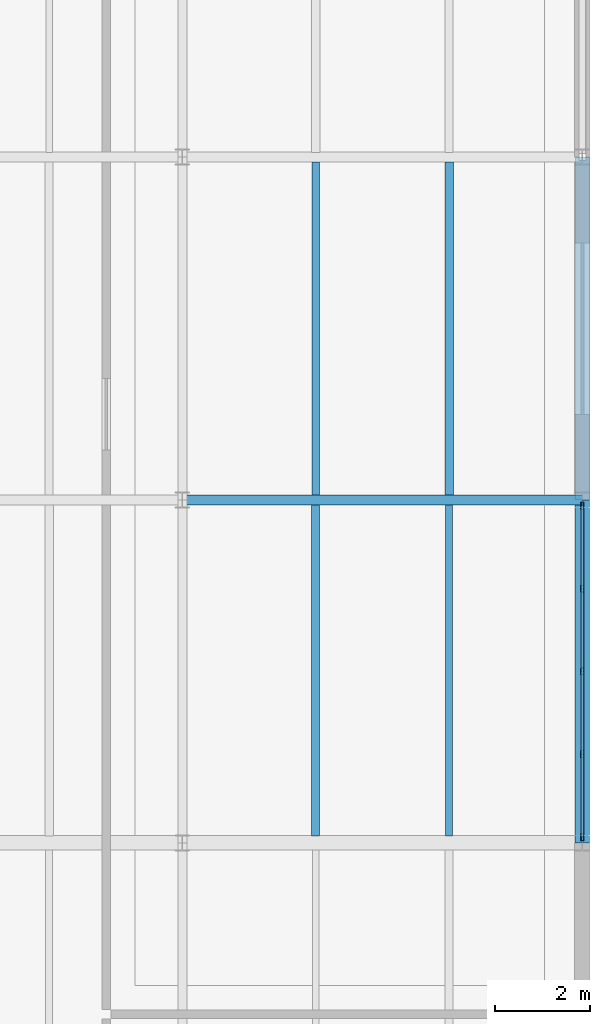
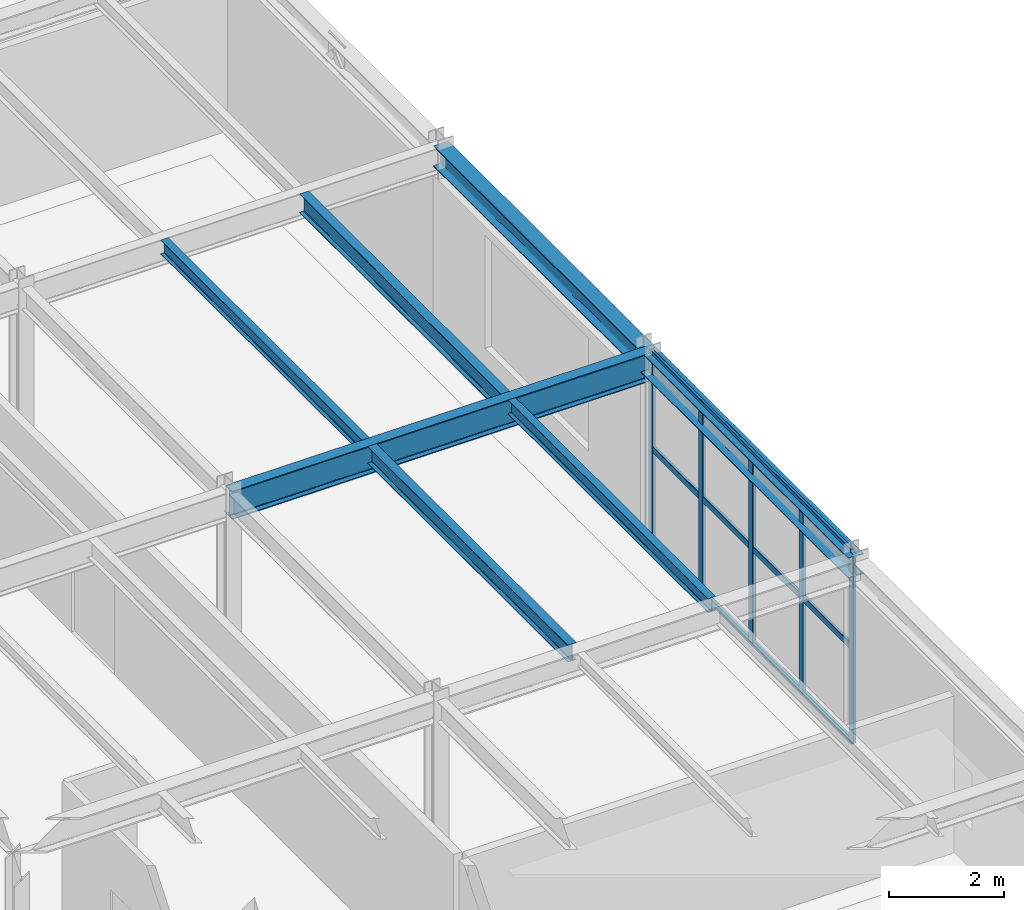
# One storey, part 41 of 73: 8 members, 7 beams, 1 element without a shape of its own.
"""IFC4 building model written with IfcOpenShell, lengths in metres."""

from ifc_helpers import new_model, si_unit, derived_unit, direction, frame, origin, origin_2d, place, context, subcontext, project, spatial, hollow_rectangle, i_section, extrude, material, material_profile, profile_set, type_object, element, aggregate, save


model = new_model("IFC4")

# Units and contexts
model_context = context("Model", 3, precision=1e-05, world=origin(), true_north=direction((0.0, 1.0)))
body_context = subcontext(model_context, "Body", "Model", "MODEL_VIEW")
ifc_project = project(units=[si_unit("LENGTHUNIT", "METRE"), si_unit("AREAUNIT", "SQUARE_METRE"), si_unit("VOLUMEUNIT", "CUBIC_METRE"), si_unit("PLANEANGLEUNIT", "RADIAN"), si_unit("MASSUNIT", "GRAM", prefix="KILO"), derived_unit("THERMALTRANSMITTANCEUNIT", [(si_unit("MASSUNIT", "GRAM", prefix="KILO"), 1), (si_unit("TIMEUNIT", "SECOND"), -3), (si_unit("THERMODYNAMICTEMPERATUREUNIT", "KELVIN"), -1)])], contexts=[model_context])

# Site, building, storey
site_placement = place(None, origin())
site = spatial("IfcSite", under=ifc_project, at=site_placement, CompositionType="ELEMENT")
building_placement = place(site_placement, origin())
building = spatial("IfcBuilding", under=site, at=building_placement, Name="Kharveza Railside Sports Centre", CompositionType="ELEMENT")
storey_placement = place(building_placement, frame((0.0, 0.0, 8.699951171875)))
storey = spatial("IfcBuildingStorey", under=building, at=storey_placement, Name="L02", CompositionType="ELEMENT", Elevation=8.699951171875)

# Beams
ifc_material_1 = material(Name="Steel S355J2", Category="steel")
ifc_material_profile_1 = material_profile(ifc_material_1, i_section(OverallWidth=0.219970703125, OverallDepth=0.60009765625, WebThickness=0.011962890625, FlangeThickness=0.01904296875, FilletRadius=0.02392578125, at=origin_2d()), Name="IPE 600")
ifc_profile_set_1 = profile_set([ifc_material_profile_1], Name="Steel S355J2")
beam_type_1 = type_object("IfcBeamType", Name="BM-G01", PredefinedType="T_BEAM", material=ifc_profile_set_1)
beam_1_placement = place(storey_placement, frame((159.60009765625, 57.60009765625, 3.699951171875), z_axis=(1.0, 0.0, 0.0), x_axis=(0.0, 1.0, 0.0)))
element("IfcBeam", 1, at=beam_1_placement, inside=storey, type_object=beam_type_1, Name="BM-EW-L02-B01-X1596-Y576", PredefinedType="T_BEAM", context=body_context, shape_type="SweptSolid", body=[
    extrude(i_section(OverallWidth=0.219970703125, OverallDepth=0.60009765625, WebThickness=0.011962890625, FlangeThickness=0.01904296875, FilletRadius=0.02392578125, at=origin_2d()), origin(), (0.0, 0.0, 1.0), 8.39990234375),
])
ifc_material_profile_2 = material_profile(ifc_material_1, i_section(OverallWidth=0.179931640625, OverallDepth=0.39990234375, WebThickness=0.008544921875, FlangeThickness=0.013427734375, FilletRadius=0.02099609375, at=origin_2d()), Name="IPE 400")
ifc_profile_set_2 = profile_set([ifc_material_profile_2], Name="Steel S355J2")
beam_type_2 = type_object("IfcBeamType", Name="BM-S01", PredefinedType="BEAM", material=ifc_profile_set_2)
beam_2_placement = place(storey_placement, frame((165.199951171875, 57.70703125, 3.800048828125), z_axis=(0.0, 1.0, 0.0), x_axis=(-1.0, 0.0, 0.0)))
element("IfcBeam", 2, at=beam_2_placement, inside=storey, type_object=beam_type_2, Name="BM-SEC-L02-B09-X1652-Y576", PredefinedType="BEAM", context=body_context, shape_type="SweptSolid", body=[
    extrude(i_section(OverallWidth=0.179931640625, OverallDepth=0.39990234375, WebThickness=0.008544921875, FlangeThickness=0.013427734375, FilletRadius=0.02099609375, at=origin_2d()), origin(), (0.0, 0.0, 1.0), 6.990966796875),
])
ifc_material_profile_3 = material_profile(ifc_material_1, i_section(OverallWidth=0.169921875, OverallDepth=0.360107421875, WebThickness=0.008056640625, FlangeThickness=0.0126953125, FilletRadius=0.01806640625, at=origin_2d()), Name="IPE 360")
ifc_profile_set_3 = profile_set([ifc_material_profile_3], Name="Steel S355J2")
beam_type_3 = type_object("IfcBeamType", Name="BM-S02", PredefinedType="BEAM", material=ifc_profile_set_3)
beam_3_placement = place(storey_placement, frame((162.39990234375, 50.547119140625, 3.820068359375), z_axis=(0.0, 1.0, 0.0), x_axis=(-1.0, 0.0, 0.0)))
element("IfcBeam", 3, at=beam_3_placement, inside=storey, type_object=beam_type_3, Name="BM-SEC-L02-B10-X1624-Y504", PredefinedType="BEAM", context=body_context, shape_type="SweptSolid", body=[
    extrude(i_section(OverallWidth=0.169921875, OverallDepth=0.360107421875, WebThickness=0.008056640625, FlangeThickness=0.0126953125, FilletRadius=0.01806640625, at=origin_2d()), origin(), (0.0, 0.0, 1.0), 6.94580078125),
])
ifc_material_profile_4 = material_profile(ifc_material_1, i_section(OverallWidth=0.14990234375, OverallDepth=0.300048828125, WebThickness=0.007080078125, FlangeThickness=0.0107421875, FilletRadius=0.014892578125, at=origin_2d()), Name="IPE 300")
ifc_profile_set_4 = profile_set([ifc_material_profile_4], Name="Steel S355J2")
beam_type_4 = type_object("IfcBeamType", Name="BM-S04", PredefinedType="BEAM", material=ifc_profile_set_4)
beam_4_placement = place(storey_placement, frame((165.199951171875, 50.547119140625, 3.85009765625), z_axis=(0.0, 1.0, 0.0), x_axis=(-1.0, 0.0, 0.0)))
element("IfcBeam", 4, at=beam_4_placement, inside=storey, type_object=beam_type_4, Name="BM-SEC-L02-B12-X1652-Y504", PredefinedType="BEAM", context=body_context, shape_type="SweptSolid", body=[
    extrude(i_section(OverallWidth=0.14990234375, OverallDepth=0.300048828125, WebThickness=0.007080078125, FlangeThickness=0.0107421875, FilletRadius=0.014892578125, at=origin_2d()), origin(), (0.0, 0.0, 1.0), 6.94580078125),
])
beam_5_placement = place(storey_placement, frame((162.39990234375, 57.70703125, 3.85009765625), z_axis=(0.0, 1.0, 0.0), x_axis=(-1.0, 0.0, 0.0)))
element("IfcBeam", 5, at=beam_5_placement, inside=storey, type_object=beam_type_4, Name="BM-SEC-L02-B12-X1624-Y576", PredefinedType="BEAM", context=body_context, shape_type="SweptSolid", body=[
    extrude(i_section(OverallWidth=0.14990234375, OverallDepth=0.300048828125, WebThickness=0.007080078125, FlangeThickness=0.0107421875, FilletRadius=0.014892578125, at=origin_2d()), origin(), (0.0, 0.0, 1.0), 6.990966796875),
])
ifc_material_profile_5 = material_profile(ifc_material_1, i_section(OverallWidth=0.300048828125, OverallDepth=0.43994140625, WebThickness=0.011474609375, FlangeThickness=0.02099609375, FilletRadius=0.027099609375, at=origin_2d()), Name="HEA 450")
ifc_profile_set_5 = profile_set([ifc_material_profile_5], Name="Steel S355J2")
beam_type_5 = type_object("IfcBeamType", Name="BM-SP01", PredefinedType="SPANDREL", material=ifc_profile_set_5)
beam_6_placement = place(storey_placement, frame((168.0, 50.39990234375, 3.780029296875), z_axis=(0.0, 1.0, 0.0), x_axis=(-1.0, 0.0, 0.0)))
element("IfcBeam", 6, at=beam_6_placement, inside=storey, type_object=beam_type_5, Name="BM-NS-L02-B15-X1680-Y504", PredefinedType="SPANDREL", context=body_context, shape_type="SweptSolid", body=[
    extrude(i_section(OverallWidth=0.300048828125, OverallDepth=0.43994140625, WebThickness=0.011474609375, FlangeThickness=0.02099609375, FilletRadius=0.027099609375, at=origin_2d()), origin(), (0.0, 0.0, 1.0), 7.2001953125),
])
beam_7_placement = place(storey_placement, frame((168.0, 57.60009765625, 3.780029296875), z_axis=(0.0, 1.0, 0.0), x_axis=(-1.0, 0.0, 0.0)))
element("IfcBeam", 7, at=beam_7_placement, inside=storey, type_object=beam_type_5, Name="BM-NS-L02-B15-X1680-Y576", PredefinedType="SPANDREL", context=body_context, shape_type="SweptSolid", body=[
    extrude(i_section(OverallWidth=0.300048828125, OverallDepth=0.43994140625, WebThickness=0.011474609375, FlangeThickness=0.02099609375, FilletRadius=0.027099609375, at=origin_2d()), origin(), (0.0, 0.0, 1.0), 7.199951171875),
])

# Curtain wall, members
ifc_material_2 = material(Name="Low-E solar-control laminated glass", Category="glass")
curtain_wall_type = type_object("IfcCurtainWallType", Name="CW-WG02", PredefinedType="NOTDEFINED", material=ifc_material_2)
curtain_wall_placement = place(storey_placement, origin())
curtain_wall = element("IfcCurtainWall", 8, at=curtain_wall_placement, inside=storey, type_object=curtain_wall_type, Name="CW-WG-L02-CW-WG02-X1680-Y540", PredefinedType="NOTDEFINED")
ifc_material_3 = material(Name="Anodised aluminium 6063-T6", Category="aluminium")
ifc_material_profile_6 = material_profile(ifc_material_3, hollow_rectangle(XDim=0.06494140625, YDim=0.14990234375, WallThickness=0.0048828125, InnerFilletRadius=0.0048828125, OuterFilletRadius=0.010009765625, at=origin_2d()), Name="RHS 65x150x5.0")
ifc_profile_set_6 = profile_set([ifc_material_profile_6], Name="Anodised aluminium 6063-T6")
member_type_1 = type_object("IfcMemberType", Name="CW-ML04", PredefinedType="MULLION", material=ifc_profile_set_6)
member_1_placement = place(storey_placement, frame((168.0, 50.52001953125, 0.0), z_axis=(0.0, 0.0, 1.0), x_axis=(1.0, 0.0, 0.0)))
member_1 = element("IfcMember", 9, at=member_1_placement, type_object=member_type_1, Name="CW-WG-L02-CW-WG02-X1680-Y540-ML1", PredefinedType="MULLION", context=body_context, shape_type="SweptSolid", body=[
    extrude(hollow_rectangle(XDim=0.06494140625, YDim=0.14990234375, WallThickness=0.0048828125, InnerFilletRadius=0.0048828125, OuterFilletRadius=0.010009765625, at=origin_2d()), origin(), (0.0, 0.0, 1.0), 4.0),
])
member_2_placement = place(storey_placement, frame((168.0, 52.260009765625, 0.0), z_axis=(0.0, 0.0, 1.0), x_axis=(1.0, 0.0, 0.0)))
member_2 = element("IfcMember", 10, at=member_2_placement, type_object=member_type_1, Name="CW-WG-L02-CW-WG02-X1680-Y540-ML2", PredefinedType="MULLION", context=body_context, shape_type="SweptSolid", body=[
    extrude(hollow_rectangle(XDim=0.06494140625, YDim=0.14990234375, WallThickness=0.0048828125, InnerFilletRadius=0.0048828125, OuterFilletRadius=0.010009765625, at=origin_2d()), origin(), (0.0, 0.0, 1.0), 4.0),
])
member_3_placement = place(storey_placement, frame((168.0, 54.0, 0.0), z_axis=(0.0, 0.0, 1.0), x_axis=(1.0, 0.0, 0.0)))
member_3 = element("IfcMember", 11, at=member_3_placement, type_object=member_type_1, Name="CW-WG-L02-CW-WG02-X1680-Y540-ML3", PredefinedType="MULLION", context=body_context, shape_type="SweptSolid", body=[
    extrude(hollow_rectangle(XDim=0.06494140625, YDim=0.14990234375, WallThickness=0.0048828125, InnerFilletRadius=0.0048828125, OuterFilletRadius=0.010009765625, at=origin_2d()), origin(), (0.0, 0.0, 1.0), 4.0),
])
member_4_placement = place(storey_placement, frame((168.0, 55.739990234375, 0.0), z_axis=(0.0, 0.0, 1.0), x_axis=(1.0, 0.0, 0.0)))
member_4 = element("IfcMember", 12, at=member_4_placement, type_object=member_type_1, Name="CW-WG-L02-CW-WG02-X1680-Y540-ML4", PredefinedType="MULLION", context=body_context, shape_type="SweptSolid", body=[
    extrude(hollow_rectangle(XDim=0.06494140625, YDim=0.14990234375, WallThickness=0.0048828125, InnerFilletRadius=0.0048828125, OuterFilletRadius=0.010009765625, at=origin_2d()), origin(), (0.0, 0.0, 1.0), 4.0),
])
member_5_placement = place(storey_placement, frame((168.0, 57.47998046875, 0.0), z_axis=(0.0, 0.0, 1.0), x_axis=(1.0, 0.0, 0.0)))
member_5 = element("IfcMember", 13, at=member_5_placement, type_object=member_type_1, Name="CW-WG-L02-CW-WG02-X1680-Y540-ML5", PredefinedType="MULLION", context=body_context, shape_type="SweptSolid", body=[
    extrude(hollow_rectangle(XDim=0.06494140625, YDim=0.14990234375, WallThickness=0.0048828125, InnerFilletRadius=0.0048828125, OuterFilletRadius=0.010009765625, at=origin_2d()), origin(), (0.0, 0.0, 1.0), 4.0),
])
ifc_material_profile_7 = material_profile(ifc_material_3, hollow_rectangle(XDim=0.06005859375, YDim=0.139892578125, WallThickness=0.0048828125, InnerFilletRadius=0.0048828125, OuterFilletRadius=0.010009765625, at=origin_2d()), Name="RHS 60x140x5.0")
ifc_profile_set_7 = profile_set([ifc_material_profile_7], Name="Anodised aluminium 6063-T6")
member_type_2 = type_object("IfcMemberType", Name="CW-TR04", PredefinedType="USERDEFINED", material=ifc_profile_set_7)
member_6_placement = place(storey_placement, frame((168.0, 50.52001953125, 0.0), z_axis=(0.0, 1.0, 0.0), x_axis=(-1.0, 0.0, 0.0)))
member_6 = element("IfcMember", 14, at=member_6_placement, type_object=member_type_2, Name="CW-WG-L02-CW-WG02-X1680-Y540-TR1", ObjectType="TRANSOM", PredefinedType="USERDEFINED", context=body_context, shape_type="SweptSolid", body=[
    extrude(hollow_rectangle(XDim=0.06005859375, YDim=0.139892578125, WallThickness=0.0048828125, InnerFilletRadius=0.0048828125, OuterFilletRadius=0.010009765625, at=origin_2d()), origin(), (0.0, 0.0, 1.0), 6.9599609375),
])
member_7_placement = place(storey_placement, frame((168.0, 50.52001953125, 2.0), z_axis=(0.0, 1.0, 0.0), x_axis=(-1.0, 0.0, 0.0)))
member_7 = element("IfcMember", 15, at=member_7_placement, type_object=member_type_2, Name="CW-WG-L02-CW-WG02-X1680-Y540-TR2", ObjectType="TRANSOM", PredefinedType="USERDEFINED", context=body_context, shape_type="SweptSolid", body=[
    extrude(hollow_rectangle(XDim=0.06005859375, YDim=0.139892578125, WallThickness=0.0048828125, InnerFilletRadius=0.0048828125, OuterFilletRadius=0.010009765625, at=origin_2d()), origin(), (0.0, 0.0, 1.0), 6.9599609375),
])
member_8_placement = place(storey_placement, frame((168.0, 50.52001953125, 4.0), z_axis=(0.0, 1.0, 0.0), x_axis=(-1.0, 0.0, 0.0)))
member_8 = element("IfcMember", 16, at=member_8_placement, type_object=member_type_2, Name="CW-WG-L02-CW-WG02-X1680-Y540-TR3", ObjectType="TRANSOM", PredefinedType="USERDEFINED", context=body_context, shape_type="SweptSolid", body=[
    extrude(hollow_rectangle(XDim=0.06005859375, YDim=0.139892578125, WallThickness=0.0048828125, InnerFilletRadius=0.0048828125, OuterFilletRadius=0.010009765625, at=origin_2d()), origin(), (0.0, 0.0, 1.0), 6.9599609375),
])
aggregate(curtain_wall, [member_1, member_2, member_3, member_4, member_5, member_6, member_7, member_8])

save(model, "model.ifc")
